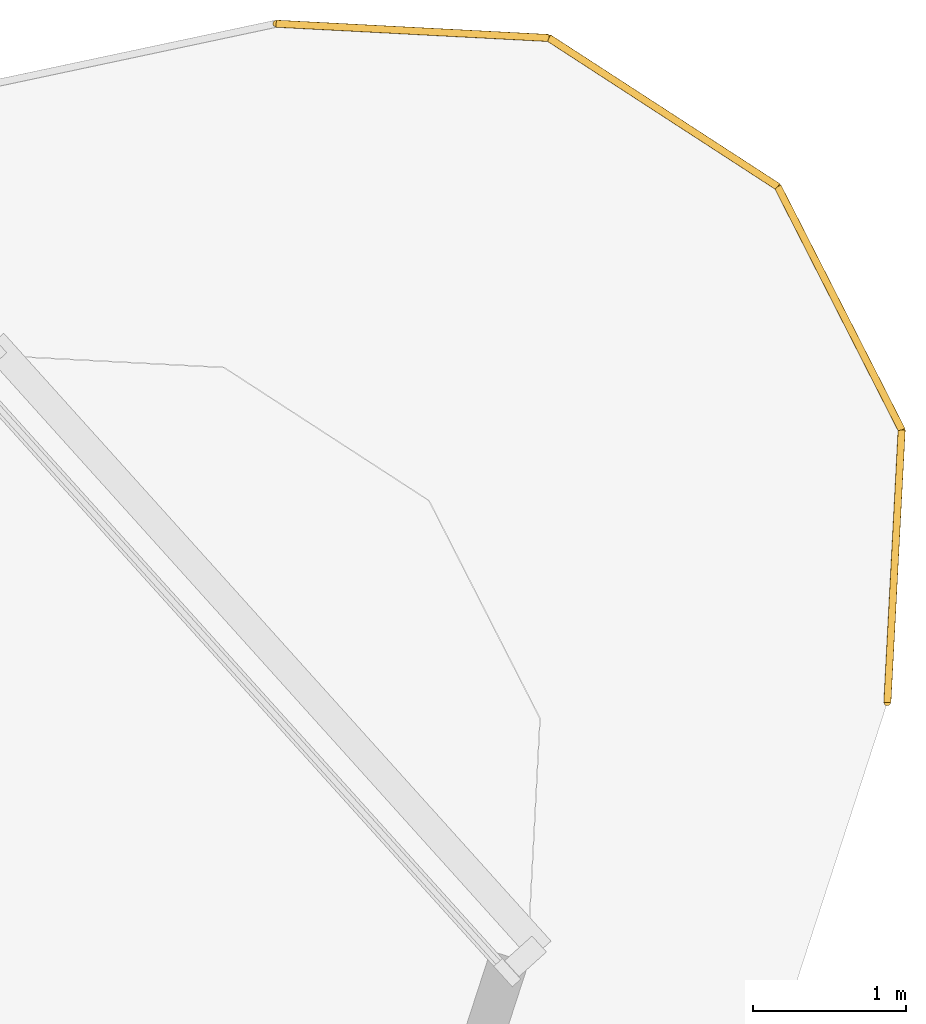
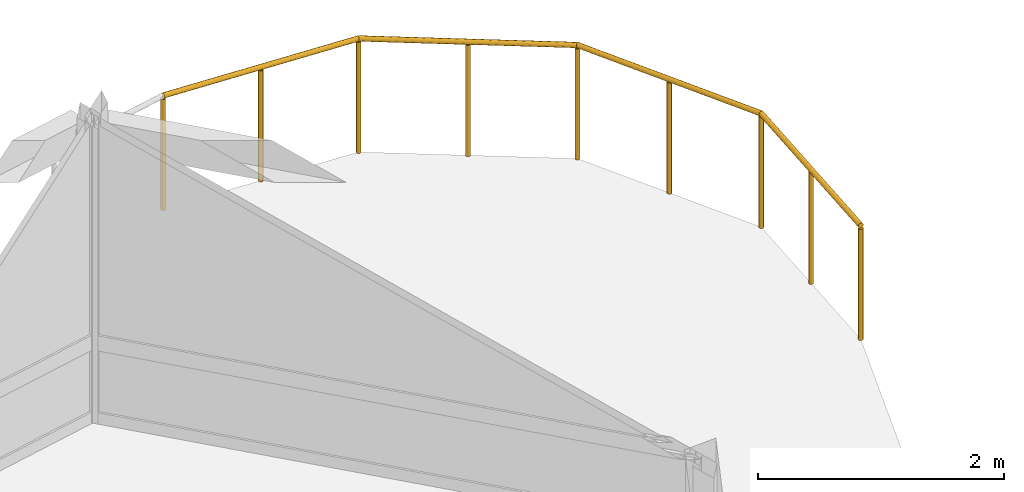
# One storey, part 15 of 15: 4 railings.
"""IFC4 building model written with IfcOpenShell, lengths in metres."""

import ifcopenshell
import ifcopenshell.guid

model = None  # the IFC model being written
_history = None  # IfcOwnerHistory: only IFC2X3 demands one
_inside = {}  # id of a spatial element -> (the spatial element, [elements in it])
_under = {}  # id of a project, library or spatial element -> (it, [spatial elements below it])
_declared = {}  # id of a project -> (the project, [libraries it declares])
_typed = {}  # id of a type object -> (the type object, [elements of that type])
_made_of = {}  # id of a material, layer set ... -> (it, [elements and type objects made of it])


def new_model(schema):
    """Start an empty IFC model of exactly this schema.

    Asked for "IFC4X3", IfcOpenShell would pick the latest addendum, in which some entities
    have other attributes; the version numbers below select the first issue.
    IFC2X3 requires an IfcOwnerHistory on every rooted entity: one is made here for all.
    """
    global model, _history
    if schema == "IFC4X3":
        model = ifcopenshell.file(schema_version=(4, 3, 0, 0))
    else:
        model = ifcopenshell.file(schema=schema)
    _inside.clear()
    _under.clear()
    _declared.clear()
    _typed.clear()
    _made_of.clear()
    _history = None
    if model.schema == "IFC2X3":
        org = make("IfcOrganization", Name="unknown")
        user = make(
            "IfcPersonAndOrganization",
            ThePerson=make("IfcPerson", FamilyName="unknown"),
            TheOrganization=org,
        )
        app = make(
            "IfcApplication",
            ApplicationDeveloper=org,
            Version="unknown",
            ApplicationFullName="unknown",
            ApplicationIdentifier="unknown",
        )
        _history = make(
            "IfcOwnerHistory",
            OwningUser=user,
            OwningApplication=app,
            ChangeAction="ADDED",
            CreationDate=0,
        )
    return model


def make(cls, **values):
    """One entity of the class cls with the attributes given. An attribute that is None is left unset."""
    return model.create_entity(
        cls, **{name: value for name, value in values.items() if value is not None}
    )


def rooted(cls, **values):
    """An entity with a GlobalId (a new one), such as an element, a storey or a relation."""
    return make(cls, GlobalId=ifcopenshell.guid.new(), OwnerHistory=_history, **values)


def si_unit(unit_type, name, prefix=None):
    """IfcSIUnit, for example si_unit("LENGTHUNIT", "METRE", prefix="MILLI")."""
    return make("IfcSIUnit", UnitType=unit_type, Prefix=prefix, Name=name)


def assignment(units):
    """IfcUnitAssignment: the units of a project."""
    return None if units is None else make("IfcUnitAssignment", Units=units)


def point(xyz):
    """IfcCartesianPoint."""
    return None if xyz is None else make("IfcCartesianPoint", Coordinates=xyz)


def direction(xyz):
    """IfcDirection."""
    return None if xyz is None else make("IfcDirection", DirectionRatios=xyz)


def frame(location, z_axis=None, x_axis=None):
    """IfcAxis2Placement3D, a coordinate frame: its origin and axes. An axis left out is left unset."""
    return make(
        "IfcAxis2Placement3D",
        Location=point(location),
        Axis=direction(z_axis),
        RefDirection=direction(x_axis),
    )


def frame_2d(location, x_axis=None):
    """IfcAxis2Placement2D, a coordinate frame in the plane: its origin and x axis."""
    return make(
        "IfcAxis2Placement2D", Location=point(location), RefDirection=direction(x_axis)
    )


def origin():
    """The frame at (0, 0, 0) with its axes left unset."""
    return frame((0.0, 0.0, 0.0))


def origin_2d():
    """The frame at (0, 0) in the plane with its x axis left unset."""
    return frame_2d((0.0, 0.0))


def place(relative_to, where):
    """IfcLocalPlacement: puts the frame where relative to a parent placement (None: the world)."""
    return make(
        "IfcLocalPlacement", PlacementRelTo=relative_to, RelativePlacement=where
    )


def context(
    kind, dimensions, precision=None, world=None, true_north=None, identifier=None
):
    """IfcGeometricRepresentationContext, for example the 3D "Model" context."""
    return make(
        "IfcGeometricRepresentationContext",
        ContextIdentifier=identifier,
        ContextType=kind,
        CoordinateSpaceDimension=dimensions,
        Precision=precision,
        WorldCoordinateSystem=world,
        TrueNorth=true_north,
    )


def subcontext(parent, identifier, kind, view, scale=None):
    """IfcGeometricRepresentationSubContext, for example "Body" below "Model"."""
    return make(
        "IfcGeometricRepresentationSubContext",
        ContextIdentifier=identifier,
        ContextType=kind,
        ParentContext=parent,
        TargetScale=scale,
        TargetView=view,
    )


def project(units=None, contexts=None):
    """IfcProject with its units and contexts."""
    return rooted(
        "IfcProject",
        Name="project",
        RepresentationContexts=contexts,
        UnitsInContext=assignment(units),
    )


def spatial(cls, under=None, at=None, **own):
    """A site, building, storey or space (cls), placed at a placement, below another one or the project."""
    s = rooted(cls, ObjectPlacement=at, **own)
    if under is not None:
        _under.setdefault(under.id(), (under, []))[1].append(s)
    return s


def profile(cls, at=None, kind="AREA", **sizes):
    """A parametric profile (cls). Its sizes go by their IFC names, for example OverallWidth=200.0."""
    return make(cls, ProfileType=kind, Position=at, **sizes)


def circle(**sizes):
    """IfcCircleProfileDef."""
    return profile("IfcCircleProfileDef", **sizes)


def extrude(swept, where, along, depth):
    """IfcExtrudedAreaSolid: the profile swept, set in the frame where, extruded along a direction by depth."""
    return make(
        "IfcExtrudedAreaSolid",
        SweptArea=swept,
        Position=where,
        ExtrudedDirection=direction(along),
        Depth=depth,
    )


def shape(context_of_items, identifier, shape_type, items):
    """IfcShapeRepresentation: the items that make up one representation, for example the "Body"."""
    return make(
        "IfcShapeRepresentation",
        ContextOfItems=context_of_items,
        RepresentationIdentifier=identifier,
        RepresentationType=shape_type,
        Items=items,
    )


def material(Name=None, Category=None):
    """IfcMaterial."""
    return make("IfcMaterial", Name=Name, Category=Category)


def layer(
    of_material, thickness, ventilated=None, Name=None, Category=None, Priority=None
):
    """IfcMaterialLayer: one layer of a wall or slab, of a material (None: an air gap)."""
    return make(
        "IfcMaterialLayer",
        Material=of_material,
        LayerThickness=thickness,
        IsVentilated=ventilated,
        Name=Name,
        Category=Category,
        Priority=Priority,
    )


def layer_set(layers, Name=None):
    """IfcMaterialLayerSet."""
    return make("IfcMaterialLayerSet", MaterialLayers=layers, LayerSetName=Name)


def made_of(thing, what):
    """Note that an element or type object is made of a material, layer set ...; save() writes the relation."""
    if what is not None:
        _made_of.setdefault(what.id(), (what, []))[1].append(thing)
    return thing


def type_object(cls, material=None, **own):
    """A type object (cls), such as IfcWallType, which elements share."""
    return made_of(rooted(cls, **own), material)


def element(
    cls,
    number,
    at=None,
    inside=None,
    cuts=None,
    type_object=None,
    material=None,
    context=None,
    identifier="Body",
    shape_type=None,
    held_by="IfcProductDefinitionShape",
    body=None,
    shapes=None,
    **own,
):
    """One element of the class cls, such as IfcWall. Its Tag is "e" and its number.

    at: its placement. inside: the storey or other place that contains it. cuts: it is an
    opening in that element (IfcRelVoidsElement). A single representation is given by context,
    identifier, shape_type and body (its items); several are given by shapes. held_by: the class
    of the entity that holds the representations. save() writes the other relations.
    """
    e = rooted(cls, Tag="e%d" % number, ObjectPlacement=at, **own)
    if body is not None:
        shapes = [shape(context, identifier, shape_type, body)]
    if shapes is not None:
        e.Representation = make(held_by, Representations=shapes)
    if inside is not None:
        _inside.setdefault(inside.id(), (inside, []))[1].append(e)
    if cuts is not None:
        rooted(
            "IfcRelVoidsElement", RelatingBuildingElement=cuts, RelatedOpeningElement=e
        )
    if type_object is not None:
        _typed.setdefault(type_object.id(), (type_object, []))[1].append(e)
    return made_of(e, material)


def aggregate(whole, parts):
    """IfcRelAggregates: a whole, such as a stair, and the parts it consists of."""
    return rooted("IfcRelAggregates", RelatingObject=whole, RelatedObjects=parts)


def save(model, path):
    """Write the relations noted so far, then the file.

    IfcRelAggregates (storeys below a building ...), IfcRelContainedInSpatialStructure (elements
    in a storey), IfcRelDefinesByType, IfcRelAssociatesMaterial and IfcRelDeclares: one each for
    every whole, place, type object, material and project.
    """
    for whole, parts in _under.values():
        aggregate(whole, parts)
    for where, things in _inside.values():
        rooted(
            "IfcRelContainedInSpatialStructure",
            RelatedElements=things,
            RelatingStructure=where,
        )
    for kind, things in _typed.values():
        rooted("IfcRelDefinesByType", RelatedObjects=things, RelatingType=kind)
    for what, things in _made_of.values():
        rooted("IfcRelAssociatesMaterial", RelatedObjects=things, RelatingMaterial=what)
    for by, libraries in _declared.values():
        rooted("IfcRelDeclares", RelatingContext=by, RelatedDefinitions=libraries)
    model.write(path)


model = new_model("IFC4")

# Units and contexts
model_context = context("Model", 3, precision=1e-05, world=origin(), true_north=direction((0.0, 1.0)))
body_context = subcontext(model_context, "Body", "Model", "MODEL_VIEW")
ifc_project = project(units=[si_unit("LENGTHUNIT", "METRE"), si_unit("AREAUNIT", "SQUARE_METRE"), si_unit("VOLUMEUNIT", "CUBIC_METRE"), si_unit("PLANEANGLEUNIT", "RADIAN"), si_unit("MASSUNIT", "GRAM", prefix="KILO")], contexts=[model_context])

# Site, building, storey
site_placement = place(None, origin())
site = spatial("IfcSite", under=ifc_project, at=site_placement, CompositionType="ELEMENT")
building_placement = place(site_placement, origin())
building = spatial("IfcBuilding", under=site, at=building_placement, Name="Terralouvre Media Tower", CompositionType="ELEMENT")
storey_placement = place(building_placement, frame((0.0, 0.0, 312.800048828125)))
storey = spatial("IfcBuildingStorey", under=building, at=storey_placement, Name="L81", CompositionType="ELEMENT", Elevation=312.800048828125)

# Railings
ifc_material = material(Name="Stainless steel 316 handrail and balustrade", Category="steel")
ifc_layer = layer(ifc_material, 0.06005859375, Name="Roof Edge Safety Guardrail GR-ROOF1")
ifc_layer_set = layer_set([ifc_layer], Name="Stainless steel 316 handrail and balustrade")
railing_type = type_object("IfcRailingType", Name="Roof Edge Safety Guardrail GR-ROOF1", PredefinedType="GUARDRAIL", material=ifc_layer_set)
railing_1_placement = place(storey_placement, frame((22.201416015625, 15.9814453125, 0.0)))
element("IfcRailing", 1, at=railing_1_placement, inside=storey, type_object=railing_type, Name="L81 Crown Roof Garden Perimeter Balustrade Edge 06", PredefinedType="GUARDRAIL", context=body_context, shape_type="SweptSolid", body=[
    extrude(circle(Radius=0.02392578125, at=origin_2d()), frame((0.0, 0.0, 1.1259765625), z_axis=(0.052371741573, 0.998627658682, 0.0), x_axis=(-0.998627658682, 0.052371741573, 0.0)), (0.0, 0.0, 1.0), 1.78076171875),
    extrude(circle(Radius=0.02099609375, at=origin_2d()), origin(), (0.0, 0.0, 1.0), 1.101806640625),
    extrude(circle(Radius=0.02099609375, at=origin_2d()), frame((0.046630859375, 0.88916015625, 0.0)), (0.0, 0.0, 1.0), 1.101806640625),
    extrude(circle(Radius=0.02099609375, at=origin_2d()), frame((0.09326171875, 1.7783203125, 0.0)), (0.0, 0.0, 1.0), 1.101806640625),
])
railing_2_placement = place(storey_placement, frame((22.294677734375, 17.759765625, 0.0)))
element("IfcRailing", 2, at=railing_2_placement, inside=storey, type_object=railing_type, Name="L81 Crown Roof Garden Perimeter Balustrade Edge 07", PredefinedType="GUARDRAIL", context=body_context, shape_type="SweptSolid", body=[
    extrude(circle(Radius=0.02392578125, at=origin_2d()), frame((0.0, 0.0, 1.1259765625), z_axis=(-0.453946319545, 0.891029033742, 0.0), x_axis=(-0.891029033742, -0.453946319545, 0.0)), (0.0, 0.0, 1.0), 1.78076171875),
    extrude(circle(Radius=0.02099609375, at=origin_2d()), origin(), (0.0, 0.0, 1.0), 1.101806640625),
    extrude(circle(Radius=0.02099609375, at=origin_2d()), frame((-0.404296875, 0.79345703125, 0.0)), (0.0, 0.0, 1.0), 1.101806640625),
    extrude(circle(Radius=0.02099609375, at=origin_2d()), frame((-0.808349609375, 1.586669921875, 0.0)), (0.0, 0.0, 1.0), 1.101806640625),
])
railing_3_placement = place(storey_placement, frame((21.486328125, 19.346435546875, 0.0)))
element("IfcRailing", 3, at=railing_3_placement, inside=storey, type_object=railing_type, Name="L81 Crown Roof Garden Perimeter Balustrade Edge 08", PredefinedType="GUARDRAIL", context=body_context, shape_type="SweptSolid", body=[
    extrude(circle(Radius=0.02392578125, at=origin_2d()), frame((0.0, 0.0, 1.1259765625), z_axis=(-0.838697261872, 0.544597927768, 0.0), x_axis=(-0.544597927768, -0.838697261872, 0.0)), (0.0, 0.0, 1.0), 1.780517578125),
    extrude(circle(Radius=0.02099609375, at=origin_2d()), origin(), (0.0, 0.0, 1.0), 1.101806640625),
    extrude(circle(Radius=0.02099609375, at=origin_2d()), frame((-0.74658203125, 0.48486328125, 0.0)), (0.0, 0.0, 1.0), 1.101806640625),
    extrude(circle(Radius=0.02099609375, at=origin_2d()), frame((-1.493408203125, 0.9697265625, 0.0)), (0.0, 0.0, 1.0), 1.101806640625),
])
railing_4_placement = place(storey_placement, frame((19.992919921875, 20.316162109375, 0.0)))
element("IfcRailing", 4, at=railing_4_placement, inside=storey, type_object=railing_type, Name="L81 Crown Roof Garden Perimeter Balustrade Edge 09", PredefinedType="GUARDRAIL", context=body_context, shape_type="SweptSolid", body=[
    extrude(circle(Radius=0.02392578125, at=origin_2d()), frame((0.0, 0.0, 1.1259765625), z_axis=(-0.998627658682, 0.052371741573, 0.0), x_axis=(-0.052371741573, -0.998627658682, 0.0)), (0.0, 0.0, 1.0), 1.78076171875),
    extrude(circle(Radius=0.02099609375, at=origin_2d()), origin(), (0.0, 0.0, 1.0), 1.101806640625),
    extrude(circle(Radius=0.02099609375, at=origin_2d()), frame((-0.88916015625, 0.046630859375, 0.0)), (0.0, 0.0, 1.0), 1.101806640625),
    extrude(circle(Radius=0.02099609375, at=origin_2d()), frame((-1.7783203125, 0.09326171875, 0.0)), (0.0, 0.0, 1.0), 1.101806640625),
])

save(model, "model.ifc")
